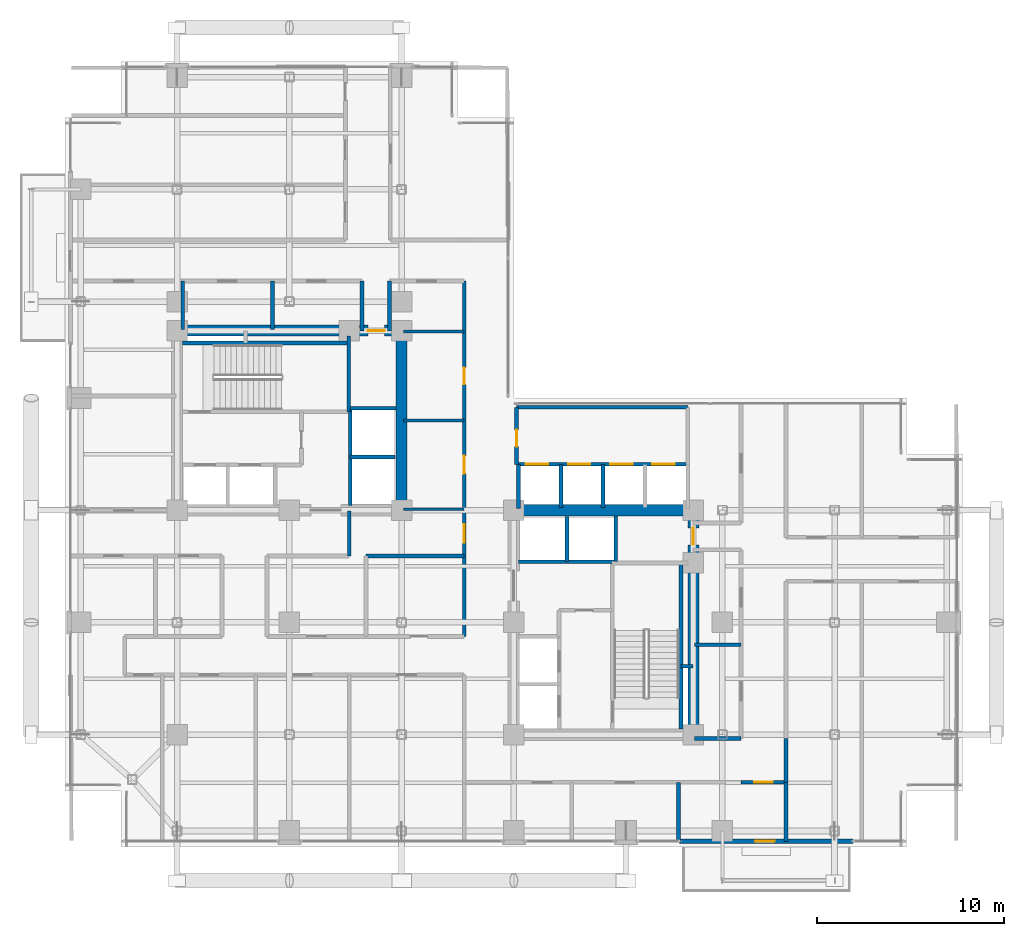
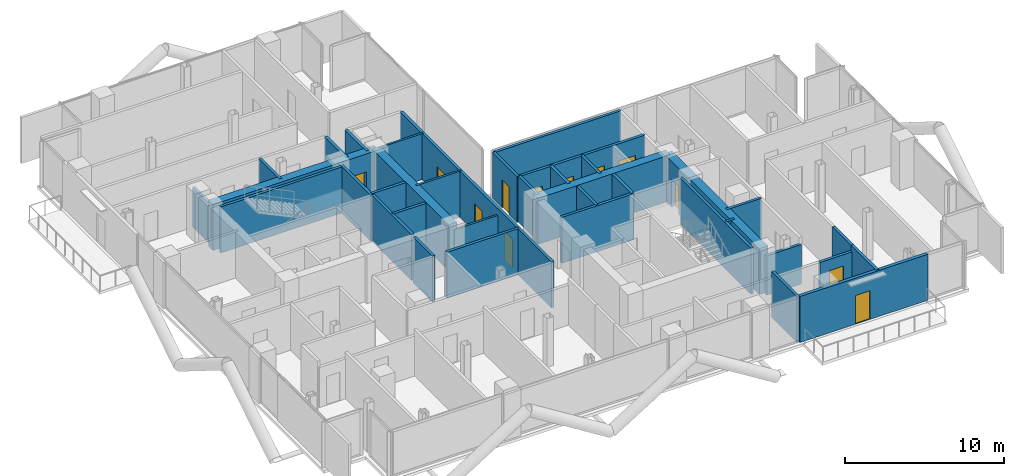
# One storey, part 23 of 28: 37 walls, 12 doors, 12 openings.
"""IFC4 building model written with IfcOpenShell, lengths in metres."""

from ifc_helpers import new_model, si_unit, direction, frame, frame_2d, origin, place, context, subcontext, project, spatial, rectangle, extrude, material, layer, layer_set, type_object, element, fill, save


model = new_model("IFC4")

# Units and contexts
model_context = context("Model", 3, precision=1e-05, world=origin(), true_north=direction((0.0, 1.0)))
body_context = subcontext(model_context, "Body", "Model", "MODEL_VIEW")
ifc_project = project(units=[si_unit("LENGTHUNIT", "METRE"), si_unit("AREAUNIT", "SQUARE_METRE"), si_unit("VOLUMEUNIT", "CUBIC_METRE"), si_unit("PLANEANGLEUNIT", "RADIAN"), si_unit("MASSUNIT", "GRAM", prefix="KILO"), si_unit("THERMODYNAMICTEMPERATUREUNIT", "KELVIN"), si_unit("POWERUNIT", "WATT")], contexts=[model_context])

# Site, building, storey
site_placement = place(None, origin())
site = spatial("IfcSite", under=ifc_project, at=site_placement, CompositionType="ELEMENT")
building_placement = place(site_placement, origin())
building = spatial("IfcBuilding", under=site, at=building_placement, Name="Svarakhadi Broadcast Tower", CompositionType="ELEMENT")
storey_placement = place(building_placement, frame((0.0, 0.0, 119.39990234375)))
storey = spatial("IfcBuildingStorey", under=building, at=storey_placement, Name="L28", CompositionType="ELEMENT", Elevation=119.39990234375)

# Walls
ifc_material_1 = material(Name="Double-Stud Acoustic Studio Partition STC-62", Category="gypsum")
ifc_layer_1 = layer(ifc_material_1, 0.199951171875)
ifc_layer_set_1 = layer_set([ifc_layer_1], Name="Double-Stud Acoustic Studio Partition STC-62")
wall_type_1 = type_object("IfcWallType", Name="Wall_Acoust_200", PredefinedType="PARTITIONING", material=ifc_layer_set_1)
wall_1_placement = place(storey_placement, frame((16.10009765625, 15.550048828125, 0.0), z_axis=(0.0, 0.0, 1.0), x_axis=(1.0, 0.0, 0.0)))
element("IfcWall", 1, at=wall_1_placement, inside=storey, type_object=wall_type_1, Name="L28 Accessible Floor Washroom WC Wall", PredefinedType="PARTITIONING", context=body_context, shape_type="SweptSolid", body=[
    extrude(rectangle(XDim=5.25, YDim=0.199951171875, at=frame_2d((2.625, 0.0))), origin(), (0.0, 0.0, 1.0), 3.525146484375),
])
for number, where, z_axis, x_axis, name in (
    (2, (32.800048828125, 0.300048828125, 0.0), (0.0, 0.0, 1.0), (0.0, 1.0, 0.0), "L28 Client Preview Briefing Room Wall"),
    (3, (38.550048828125, 0.300048828125, 0.0), (0.0, 0.0, 1.0), (0.0, 1.0, 0.0), "L28 Artisanal Espresso Bar Wall"),
):
    element("IfcWall", number, at=place(storey_placement, frame(where, z_axis=z_axis, x_axis=x_axis)), inside=storey, type_object=wall_type_1, Name=name, PredefinedType="PARTITIONING", context=body_context, shape_type="SweptSolid", body=[
        extrude(rectangle(XDim=3.14990234375, YDim=0.199951171875, at=frame_2d((1.574951171875, 0.0))), origin(), (0.0, 0.0, 1.0), 3.525146484375),
    ])
wall_2_placement = place(storey_placement, frame((6.300048828125, 27.64990234375, 0.0), z_axis=(0.0, 0.0, 1.0), x_axis=(0.0, 1.0, 0.0)))
element("IfcWall", 4, at=wall_2_placement, inside=storey, type_object=wall_type_1, Name="L28 Acoustic Dubbing Booth Wall", PredefinedType="PARTITIONING", context=body_context, shape_type="SweptSolid", body=[
    extrude(rectangle(XDim=2.60009765625, YDim=0.199951171875, at=frame_2d((1.300048828125, 0.0))), origin(), (0.0, 0.0, 1.0), 3.01708984375),
])
wall_3_placement = place(storey_placement, frame((11.10009765625, 27.64990234375, 0.0), z_axis=(0.0, 0.0, 1.0), x_axis=(0.0, 1.0, 0.0)))
element("IfcWall", 5, at=wall_3_placement, inside=storey, type_object=wall_type_1, Name="L28 Acoustic Dubbing Booth Wall", PredefinedType="PARTITIONING", context=body_context, shape_type="SweptSolid", body=[
    extrude(rectangle(XDim=2.60009765625, YDim=0.199951171875, at=frame_2d((1.300048828125, 0.0))), origin(), (0.0, 0.0, 1.0), 3.525146484375),
])
wall_4_placement = place(storey_placement, frame((33.64990234375, 5.800048828125, 0.0), z_axis=(0.0, 0.0, 1.0), x_axis=(1.0, 0.0, 0.0)))
element("IfcWall", 6, at=wall_4_placement, inside=storey, type_object=wall_type_1, Name="L28 Media Playout Monitoring Office Wall", PredefinedType="PARTITIONING", context=body_context, shape_type="SweptSolid", body=[
    extrude(rectangle(XDim=2.5, YDim=0.199951171875, at=frame_2d((1.25, 0.0))), origin(), (0.0, 0.0, 1.0), 3.01708984375),
])
wall_5_placement = place(storey_placement, frame((33.64990234375, 10.800048828125, 0.0), z_axis=(0.0, 0.0, 1.0), x_axis=(1.0, 0.0, 0.0)))
element("IfcWall", 7, at=wall_5_placement, inside=storey, type_object=wall_type_1, Name="L28 Media Playout Monitoring Office Wall", PredefinedType="PARTITIONING", context=body_context, shape_type="SweptSolid", body=[
    extrude(rectangle(XDim=2.5, YDim=0.199951171875, at=frame_2d((1.25, 0.0))), origin(), (0.0, 0.0, 1.0), 3.525146484375),
])

# Wall, opening, door
ifc_material_2 = material(Name="Concrete C40/50 (IS 456 M50)", Category="concrete")
ifc_layer_2 = layer(ifc_material_2, 0.239990234375)
ifc_layer_set_2 = layer_set([ifc_layer_2], Name="Concrete C40/50 (IS 456 M50)")
wall_type_2 = type_object("IfcWallType", Name="Wall_Ext_240", PredefinedType="SOLIDWALL", material=ifc_layer_set_2)
wall_6_placement = place(storey_placement, frame((42.14501953125, 0.300048828125, 0.0), z_axis=(0.0, 0.0, 1.0), x_axis=(-1.0, 0.0, 0.0)))
wall_6 = element("IfcWall", 8, at=wall_6_placement, inside=storey, type_object=wall_type_2, Name="L28 South Tree Balcony Spandrel Wall", PredefinedType="SOLIDWALL", context=body_context, shape_type="SweptSolid", body=[
    extrude(rectangle(XDim=9.2900390625, YDim=0.239990234375, at=frame_2d((4.64501953125, 0.0))), origin(), (0.0, 0.0, 1.0), 3.525146484375),
])
opening_1_placement = place(wall_6_placement, frame((4.199951171875, 0.0, 0.0)))
opening_1 = element("IfcOpeningElement", 9, at=opening_1_placement, cuts=wall_6, Name="Opening ED-06", PredefinedType="OPENING", context=body_context, shape_type="SweptSolid", body=[
    extrude(rectangle(XDim=1.050048828125, YDim=2.199951171875, at=frame_2d((0.52490234375, 1.10009765625))), frame((0.0, 0.1298828125, 0.0), z_axis=(0.0, -1.0, 0.0), x_axis=(1.0, 0.0, 0.0)), (0.0, 0.0, 1.0), 0.260009765625),
])
ifc_material_3 = material(Name="Anodised Bronze Aluminium AA 6063-T6", Category="aluminium")
door_type_1 = type_object("IfcDoorType", Name="Door_Ext_ED06", OperationType="SINGLE_SWING_RIGHT", PredefinedType="DOOR", material=ifc_material_3)
door_1_placement = place(opening_1_placement, origin())
door_1 = element("IfcDoor", 10, at=door_1_placement, inside=storey, type_object=door_type_1, Name="L28 South Tree Balcony Door", OperationType="SINGLE_SWING_RIGHT", OverallHeight=2.199951171875, OverallWidth=1.050048828125, PredefinedType="DOOR", context=body_context, shape_type="SweptSolid", body=[
    extrude(rectangle(XDim=1.050048828125, YDim=2.199951171875, at=frame_2d((0.52490234375, 1.10009765625))), frame((0.0, 0.02490234375, 0.0), z_axis=(0.0, -1.0, 0.0), x_axis=(1.0, 0.0, 0.0)), (0.0, 0.0, 1.0), 0.050048828125),
])
fill(opening_1, door_1)

# Walls
ifc_layer_3 = layer(ifc_material_2, 0.199951171875)
ifc_layer_set_3 = layer_set([ifc_layer_3], Name="Concrete C40/50 (IS 456 M50)")
wall_type_3 = type_object("IfcWallType", Name="Wall_Fire_200", PredefinedType="SOLIDWALL", material=ifc_layer_set_3)
wall_7_placement = place(storey_placement, frame((32.93994140625, 9.659912109375, 0.0), z_axis=(0.0, 0.0, 1.0), x_axis=(1.0, 0.0, 0.0)))
element("IfcWall", 11, at=wall_7_placement, inside=storey, type_object=wall_type_3, Name="L28 HV Busduct Riser Shaft North Wall", PredefinedType="SOLIDWALL", context=body_context, shape_type="SweptSolid", body=[
    extrude(rectangle(XDim=0.64013671875, YDim=0.199951171875, at=frame_2d((0.320068359375, 0.0))), origin(), (0.0, 0.0, 1.0), 3.525146484375),
])
wall_8_placement = place(storey_placement, frame((38.550048828125, 5.800048828125, 0.0), z_axis=(0.0, 0.0, 1.0), x_axis=(0.0, -1.0, 0.0)))
element("IfcWall", 12, at=wall_8_placement, inside=storey, type_object=wall_type_3, Name="L28 Zone 2/3 Corridor Wall", PredefinedType="SOLIDWALL", context=body_context, shape_type="SweptSolid", body=[
    extrude(rectangle(XDim=2.35009765625, YDim=0.199951171875, at=frame_2d((1.175048828125, 0.0))), origin(), (0.0, 0.0, 1.0), 3.525146484375),
])

# Wall, opening, door
wall_9_placement = place(storey_placement, frame((38.550048828125, 3.449951171875, 0.0), z_axis=(0.0, 0.0, 1.0), x_axis=(-1.0, 0.0, 0.0)))
wall_9 = element("IfcWall", 13, at=wall_9_placement, inside=storey, type_object=wall_type_3, Name="L28 Zone 2/3 Corridor Wall", PredefinedType="SOLIDWALL", context=body_context, shape_type="SweptSolid", body=[
    extrude(rectangle(XDim=2.400146484375, YDim=0.199951171875, at=frame_2d((1.2001953125, 0.0))), origin(), (0.0, 0.0, 1.0), 3.067138671875),
])
opening_2_placement = place(wall_9_placement, frame((0.699951171875, 0.0, 0.0)))
opening_2 = element("IfcOpeningElement", 14, at=opening_2_placement, cuts=wall_9, Name="Opening D-08", PredefinedType="OPENING", context=body_context, shape_type="SweptSolid", body=[
    extrude(rectangle(XDim=1.0, YDim=2.199951171875, at=frame_2d((0.5, 1.10009765625))), frame((0.0, 0.10986328125, 0.0), z_axis=(0.0, -1.0, 0.0), x_axis=(1.0, 0.0, 0.0)), (0.0, 0.0, 1.0), 0.219970703125),
])
ifc_material_4 = material(Name="Solid-Core Teak Veneer Acoustic Timber Leaf", Category="wood")
door_type_2 = type_object("IfcDoorType", Name="Door_Suite_D08", OperationType="SINGLE_SWING_LEFT", PredefinedType="DOOR", material=ifc_material_4)
door_2_placement = place(opening_2_placement, origin())
door_2 = element("IfcDoor", 15, at=door_2_placement, inside=storey, type_object=door_type_2, Name="L28 Artisanal Espresso Bar Door", OperationType="SINGLE_SWING_LEFT", OverallHeight=2.199951171875, OverallWidth=1.0, PredefinedType="DOOR", context=body_context, shape_type="SweptSolid", body=[
    extrude(rectangle(XDim=1.0, YDim=2.199951171875, at=frame_2d((0.5, 1.10009765625))), frame((0.0, 0.02490234375, 0.0), z_axis=(0.0, -1.0, 0.0), x_axis=(1.0, 0.0, 0.0)), (0.0, 0.0, 1.0), 0.050048828125),
])
fill(opening_2, door_2)

# Wall
wall_10_placement = place(storey_placement, frame((15.199951171875, 17.949951171875, 0.0), z_axis=(0.0, 0.0, 1.0), x_axis=(0.0, -1.0, 0.0)))
element("IfcWall", 16, at=wall_10_placement, inside=storey, type_object=wall_type_3, Name="L28 Zone 2/3 Corridor Wall", PredefinedType="SOLIDWALL", context=body_context, shape_type="SweptSolid", body=[
    extrude(rectangle(XDim=2.39990234375, YDim=0.199951171875, at=frame_2d((1.199951171875, 0.0))), origin(), (0.0, 0.0, 1.0), 3.525146484375),
])

# Wall, openings, doors
wall_11_placement = place(storey_placement, frame((21.35009765625, 11.25, 0.0), z_axis=(0.0, 0.0, 1.0), x_axis=(0.0, 1.0, 0.0)))
wall_11 = element("IfcWall", 17, at=wall_11_placement, inside=storey, type_object=wall_type_3, Name="L28 Zone 2/3 Corridor Wall", PredefinedType="SOLIDWALL", context=body_context, shape_type="SweptSolid", body=[
    extrude(rectangle(XDim=19.0, YDim=0.199951171875, at=frame_2d((9.5, 0.0))), origin(), (0.0, 0.0, 1.0), 3.525146484375),
])
opening_3_placement = place(wall_11_placement, frame((8.699951171875, 0.0, 0.0)))
opening_3 = element("IfcOpeningElement", 18, at=opening_3_placement, cuts=wall_11, Name="Opening D-07", PredefinedType="OPENING", context=body_context, shape_type="SweptSolid", body=[
    extrude(rectangle(XDim=0.949951171875, YDim=2.14990234375, at=frame_2d((0.47509765625, 1.074951171875))), frame((0.0, 0.10986328125, 0.0), z_axis=(0.0, -1.0, 0.0), x_axis=(1.0, 0.0, 0.0)), (0.0, 0.0, 1.0), 0.219970703125),
])
opening_4_placement = place(wall_11_placement, frame((13.47509765625, 0.0, 0.0)))
opening_4 = element("IfcOpeningElement", 19, at=opening_4_placement, cuts=wall_11, Name="Opening D-12", PredefinedType="OPENING", context=body_context, shape_type="SweptSolid", body=[
    extrude(rectangle(XDim=0.89990234375, YDim=2.10009765625, at=frame_2d((0.449951171875, 1.050048828125))), frame((0.0, 0.10986328125, 0.0), z_axis=(0.0, -1.0, 0.0), x_axis=(1.0, 0.0, 0.0)), (0.0, 0.0, 1.0), 0.219970703125),
])
opening_5_placement = place(wall_11_placement, frame((5.0, 0.0, 0.0)))
opening_5 = element("IfcOpeningElement", 20, at=opening_5_placement, cuts=wall_11, Name="Opening D-09", PredefinedType="OPENING", context=body_context, shape_type="SweptSolid", body=[
    extrude(rectangle(XDim=1.0, YDim=2.199951171875, at=frame_2d((0.5, 1.10009765625))), frame((0.0, 0.10986328125, 0.0), z_axis=(0.0, -1.0, 0.0), x_axis=(1.0, 0.0, 0.0)), (0.0, 0.0, 1.0), 0.219970703125),
])
door_type_3 = type_object("IfcDoorType", Name="Door_Office_D07", OperationType="SINGLE_SWING_RIGHT", PredefinedType="DOOR", material=ifc_material_4)
door_3_placement = place(opening_3_placement, origin())
door_3 = element("IfcDoor", 21, at=door_3_placement, inside=storey, type_object=door_type_3, Name="L28 Broadcast Editorial Review Office Door", OperationType="SINGLE_SWING_RIGHT", OverallHeight=2.14990234375, OverallWidth=0.949951171875, PredefinedType="DOOR", context=body_context, shape_type="SweptSolid", body=[
    extrude(rectangle(XDim=0.949951171875, YDim=2.14990234375, at=frame_2d((0.47509765625, 1.074951171875))), frame((0.0, 0.02490234375, 0.0), z_axis=(0.0, -1.0, 0.0), x_axis=(1.0, 0.0, 0.0)), (0.0, 0.0, 1.0), 0.050048828125),
])
fill(opening_3, door_3)
door_type_4 = type_object("IfcDoorType", Name="Door_Suite_D09", OperationType="SINGLE_SWING_RIGHT", PredefinedType="DOOR", material=ifc_material_4)
door_4_placement = place(opening_5_placement, origin())
door_4 = element("IfcDoor", 22, at=door_4_placement, inside=storey, type_object=door_type_4, Name="L28 Executive Review Pod Door", OperationType="SINGLE_SWING_RIGHT", OverallHeight=2.199951171875, OverallWidth=1.0, PredefinedType="DOOR", context=body_context, shape_type="SweptSolid", body=[
    extrude(rectangle(XDim=1.0, YDim=2.199951171875, at=frame_2d((0.5, 1.10009765625))), frame((0.0, 0.02490234375, 0.0), z_axis=(0.0, -1.0, 0.0), x_axis=(1.0, 0.0, 0.0)), (0.0, 0.0, 1.0), 0.050048828125),
])
fill(opening_5, door_4)
door_type_5 = type_object("IfcDoorType", Name="Door_WC_D01", OperationType="SINGLE_SWING_LEFT", PredefinedType="DOOR", material=ifc_material_4)
door_5_placement = place(opening_4_placement, origin())
door_5 = element("IfcDoor", 23, at=door_5_placement, inside=storey, type_object=door_type_5, Name="L28 Accessible Guest Washroom WC Door", OperationType="SINGLE_SWING_LEFT", OverallHeight=2.10009765625, OverallWidth=0.89990234375, PredefinedType="DOOR", context=body_context, shape_type="SweptSolid", body=[
    extrude(rectangle(XDim=0.89990234375, YDim=2.10009765625, at=frame_2d((0.449951171875, 1.050048828125))), frame((0.0, 0.02490234375, 0.0), z_axis=(0.0, -1.0, 0.0), x_axis=(1.0, 0.0, 0.0)), (0.0, 0.0, 1.0), 0.050048828125),
])
fill(opening_4, door_5)

# Walls
for number, where, z_axis, x_axis, name in (
    (24, (17.35009765625, 30.25, 0.0), (0.0, 0.0, 1.0), (0.0, -1.0, 0.0), "L28 Zone 2/3 Corridor Wall"),
    (25, (15.8798828125, 27.580078125, 0.0), (0.0, 0.0, 1.0), (0.0, 1.0, 0.0), "L28 Zone 2/3 Corridor Wall"),
):
    element("IfcWall", number, at=place(storey_placement, frame(where, z_axis=z_axis, x_axis=x_axis)), inside=storey, type_object=wall_type_3, Name=name, PredefinedType="SOLIDWALL", context=body_context, shape_type="SweptSolid", body=[
        extrude(rectangle(XDim=2.669921875, YDim=0.199951171875, at=frame_2d((1.3349609375, 0.0))), origin(), (0.0, 0.0, 1.0), 3.525146484375),
    ])
ifc_material_5 = material(Name="Autoclaved Aerated Concrete Blockwork 150 mm", Category="masonry")
ifc_layer_4 = layer(ifc_material_5, 0.14990234375)
ifc_layer_set_4 = layer_set([ifc_layer_4], Name="Autoclaved Aerated Concrete Blockwork 150 mm")
wall_type_4 = type_object("IfcWallType", Name="Wall_Part_150", PredefinedType="PARTITIONING", material=ifc_layer_set_4)
wall_12_placement = place(storey_placement, frame((18.10009765625, 18.050048828125, 0.0), z_axis=(0.0, 0.0, 1.0), x_axis=(1.0, 0.0, 0.0)))
element("IfcWall", 26, at=wall_12_placement, inside=storey, type_object=wall_type_4, Name="L28 Broadcast Editorial Review Office Wall", PredefinedType="PARTITIONING", context=body_context, shape_type="SweptSolid", body=[
    extrude(rectangle(XDim=3.25, YDim=0.14990234375, at=frame_2d((1.625, 0.0))), origin(), (0.0, 0.0, 1.0), 3.01708984375),
])
for number, where, z_axis, x_axis, name in (
    (27, (18.10009765625, 22.800048828125, 0.0), (0.0, 0.0, 1.0), (1.0, 0.0, 0.0), "L28 Broadcast Editorial Review Office Wall"),
    (28, (18.10009765625, 27.550048828125, 0.0), (0.0, 0.0, 1.0), (1.0, 0.0, 0.0), "L28 Accessible Guest Washroom WC Wall"),
):
    element("IfcWall", number, at=place(storey_placement, frame(where, z_axis=z_axis, x_axis=x_axis)), inside=storey, type_object=wall_type_4, Name=name, PredefinedType="PARTITIONING", context=body_context, shape_type="SweptSolid", body=[
        extrude(rectangle(XDim=3.25, YDim=0.14990234375, at=frame_2d((1.625, 0.0))), origin(), (0.0, 0.0, 1.0), 3.525146484375),
    ])
ifc_material_6 = material(Name="Concrete C50/60 (IS 456 M60)", Category="concrete")
ifc_layer_5 = layer(ifc_material_6, 0.199951171875)
ifc_layer_set_5 = layer_set([ifc_layer_5], Name="Concrete C50/60 (IS 456 M60)")
wall_type_5 = type_object("IfcWallType", Name="Wall_Shear_200", PredefinedType="SHEAR", material=ifc_layer_set_5)
wall_13_placement = place(storey_placement, frame((6.300048828125, 26.93994140625, 0.0), z_axis=(0.0, 0.0, 1.0), x_axis=(1.0, 0.0, 0.0)))
element("IfcWall", 29, at=wall_13_placement, inside=storey, type_object=wall_type_5, Name="L28 Stair ST-01 North RC Shaft Wall", PredefinedType="SHEAR", context=body_context, shape_type="SweptSolid", body=[
    extrude(rectangle(XDim=8.8798828125, YDim=0.199951171875, at=frame_2d((4.43994140625, 0.0))), origin(), (0.0, 0.0, 1.0), 3.525146484375),
])
wall_14_placement = place(storey_placement, frame((15.179931640625, 23.260009765625, 0.0), z_axis=(0.0, 0.0, 1.0), x_axis=(0.0, 1.0, 0.0)))
element("IfcWall", 30, at=wall_14_placement, inside=storey, type_object=wall_type_5, Name="L28 Stair ST-01 East RC Shaft Wall", PredefinedType="SHEAR", context=body_context, shape_type="SweptSolid", body=[
    extrude(rectangle(XDim=4.0400390625, YDim=0.199951171875, at=frame_2d((2.02001953125, 0.0))), origin(), (0.0, 0.0, 1.0), 3.525146484375),
])
wall_15_placement = place(storey_placement, frame((32.93994140625, 6.300048828125, 0.0), z_axis=(0.0, 0.0, 1.0), x_axis=(0.0, 1.0, 0.0)))
element("IfcWall", 31, at=wall_15_placement, inside=storey, type_object=wall_type_5, Name="L28 Stair ST-02 East RC Shaft Wall", PredefinedType="SHEAR", context=body_context, shape_type="SweptSolid", body=[
    extrude(rectangle(XDim=8.8798828125, YDim=0.199951171875, at=frame_2d((4.43994140625, 0.0))), origin(), (0.0, 0.0, 1.0), 3.525146484375),
])
wall_16_placement = place(storey_placement, frame((15.25, 18.25, 0.0), z_axis=(0.0, 0.0, 1.0), x_axis=(0.0, 1.0, 0.0)))
element("IfcWall", 32, at=wall_16_placement, inside=storey, type_object=wall_type_5, Name="L28 High-Rise Lift LF-13/14 West Shaft Wall", PredefinedType="SHEAR", context=body_context, shape_type="SweptSolid", body=[
    extrude(rectangle(XDim=5.199951171875, YDim=0.199951171875, at=frame_2d((2.60009765625, 0.0))), origin(), (0.0, 0.0, 1.0), 3.525146484375),
])
wall_17_placement = place(storey_placement, frame((15.25, 20.85009765625, 0.0), z_axis=(0.0, 0.0, 1.0), x_axis=(1.0, 0.0, 0.0)))
element("IfcWall", 33, at=wall_17_placement, inside=storey, type_object=wall_type_5, Name="L28 High-Rise Lift LF-13/14 Divider", PredefinedType="SHEAR", context=body_context, shape_type="SweptSolid", body=[
    extrude(rectangle(XDim=2.39990234375, YDim=0.199951171875, at=frame_2d((1.199951171875, 0.0))), origin(), (0.0, 0.0, 1.0), 3.525146484375),
])
wall_18_placement = place(storey_placement, frame((15.25, 23.449951171875, 0.0), z_axis=(0.0, 0.0, 1.0), x_axis=(1.0, 0.0, 0.0)))
element("IfcWall", 34, at=wall_18_placement, inside=storey, type_object=wall_type_5, Name="L28 High-Rise Lift LF-13/14 North Wall", PredefinedType="SHEAR", context=body_context, shape_type="SweptSolid", body=[
    extrude(rectangle(XDim=2.449951171875, YDim=0.199951171875, at=frame_2d((1.22509765625, 0.0))), origin(), (0.0, 0.0, 1.0), 3.525146484375),
])
wall_19_placement = place(storey_placement, frame((24.25, 15.25, 0.0), z_axis=(0.0, 0.0, 1.0), x_axis=(1.0, 0.0, 0.0)))
element("IfcWall", 35, at=wall_19_placement, inside=storey, type_object=wall_type_5, Name="L28 High-Rise Lift LF-15/16 South Shaft Wall", PredefinedType="SHEAR", context=body_context, shape_type="SweptSolid", body=[
    extrude(rectangle(XDim=5.199951171875, YDim=0.199951171875, at=frame_2d((2.60009765625, 0.0))), origin(), (0.0, 0.0, 1.0), 3.525146484375),
])
wall_20_placement = place(storey_placement, frame((26.85009765625, 15.25, 0.0), z_axis=(0.0, 0.0, 1.0), x_axis=(0.0, 1.0, 0.0)))
element("IfcWall", 36, at=wall_20_placement, inside=storey, type_object=wall_type_5, Name="L28 High-Rise Lift LF-15/16 Divider", PredefinedType="SHEAR", context=body_context, shape_type="SweptSolid", body=[
    extrude(rectangle(XDim=2.39990234375, YDim=0.199951171875, at=frame_2d((1.199951171875, 0.0))), origin(), (0.0, 0.0, 1.0), 3.525146484375),
])
wall_21_placement = place(storey_placement, frame((29.449951171875, 15.25, 0.0), z_axis=(0.0, 0.0, 1.0), x_axis=(0.0, 1.0, 0.0)))
element("IfcWall", 37, at=wall_21_placement, inside=storey, type_object=wall_type_5, Name="L28 High-Rise Lift LF-15/16 East Wall", PredefinedType="SHEAR", context=body_context, shape_type="SweptSolid", body=[
    extrude(rectangle(XDim=2.449951171875, YDim=0.199951171875, at=frame_2d((1.22509765625, 0.0))), origin(), (0.0, 0.0, 1.0), 3.525146484375),
])
wall_22_placement = place(storey_placement, frame((24.25, 18.10009765625, 0.0), z_axis=(0.0, 0.0, 1.0), x_axis=(0.0, 1.0, 0.0)))
element("IfcWall", 38, at=wall_22_placement, inside=storey, type_object=wall_type_5, Name="L28 Bank B West Shaft Wall", PredefinedType="SHEAR", context=body_context, shape_type="SweptSolid", body=[
    extrude(rectangle(XDim=2.349853515625, YDim=0.199951171875, at=frame_2d((1.1748046875, 0.0))), origin(), (0.0, 0.0, 1.0), 3.525146484375),
])

# Wall, openings, doors
wall_23_placement = place(storey_placement, frame((24.25, 20.449951171875, 0.0), z_axis=(0.0, 0.0, 1.0), x_axis=(1.0, 0.0, 0.0)))
wall_23 = element("IfcWall", 39, at=wall_23_placement, inside=storey, type_object=wall_type_5, Name="L28 Bank B North Landing Wall", PredefinedType="SHEAR", context=body_context, shape_type="SweptSolid", body=[
    extrude(rectangle(XDim=9.050048828125, YDim=0.199951171875, at=frame_2d((4.52490234375, 0.0))), origin(), (0.0, 0.0, 1.0), 3.525146484375),
])
opening_6_placement = place(wall_23_placement, frame((0.39990234375, 0.0, 0.0)))
opening_6 = element("IfcOpeningElement", 40, at=opening_6_placement, cuts=wall_23, Name="Opening LD-02", PredefinedType="OPENING", context=body_context, shape_type="SweptSolid", body=[
    extrude(rectangle(XDim=1.199951171875, YDim=2.199951171875, at=frame_2d((0.60009765625, 1.10009765625))), frame((0.0, 0.10986328125, 0.0), z_axis=(0.0, -1.0, 0.0), x_axis=(1.0, 0.0, 0.0)), (0.0, 0.0, 1.0), 0.219970703125),
])
opening_7_placement = place(wall_23_placement, frame((2.64990234375, 0.0, 0.0)))
opening_7 = element("IfcOpeningElement", 41, at=opening_7_placement, cuts=wall_23, Name="Opening LD-02", PredefinedType="OPENING", context=body_context, shape_type="SweptSolid", body=[
    extrude(rectangle(XDim=1.199951171875, YDim=2.199951171875, at=frame_2d((0.60009765625, 1.10009765625))), frame((0.0, 0.10986328125, 0.0), z_axis=(0.0, -1.0, 0.0), x_axis=(1.0, 0.0, 0.0)), (0.0, 0.0, 1.0), 0.219970703125),
])
opening_8_placement = place(wall_23_placement, frame((4.89990234375, 0.0, 0.0)))
opening_8 = element("IfcOpeningElement", 42, at=opening_8_placement, cuts=wall_23, Name="Opening LD-02", PredefinedType="OPENING", context=body_context, shape_type="SweptSolid", body=[
    extrude(rectangle(XDim=1.199951171875, YDim=2.199951171875, at=frame_2d((0.60009765625, 1.10009765625))), frame((0.0, 0.10986328125, 0.0), z_axis=(0.0, -1.0, 0.0), x_axis=(1.0, 0.0, 0.0)), (0.0, 0.0, 1.0), 0.219970703125),
])
opening_9_placement = place(wall_23_placement, frame((7.14990234375, 0.0, 0.0)))
opening_9 = element("IfcOpeningElement", 43, at=opening_9_placement, cuts=wall_23, Name="Opening LD-02", PredefinedType="OPENING", context=body_context, shape_type="SweptSolid", body=[
    extrude(rectangle(XDim=1.199951171875, YDim=2.199951171875, at=frame_2d((0.60009765625, 1.10009765625))), frame((0.0, 0.10986328125, 0.0), z_axis=(0.0, -1.0, 0.0), x_axis=(1.0, 0.0, 0.0)), (0.0, 0.0, 1.0), 0.219970703125),
])
ifc_material_7 = material(Name="Galvanised Powder-Coated Fire-Rated Steel Leaf", Category="steel")
door_type_6 = type_object("IfcDoorType", Name="Door_Lift_LD02", OperationType="SLIDING_TO_RIGHT", PredefinedType="DOOR", material=ifc_material_7)
door_6_placement = place(opening_6_placement, origin())
door_6 = element("IfcDoor", 44, at=door_6_placement, inside=storey, type_object=door_type_6, Name="L28 Mid-Rise Lift LF-09 Landing Door", OperationType="SLIDING_TO_RIGHT", OverallHeight=2.199951171875, OverallWidth=1.199951171875, PredefinedType="DOOR", context=body_context, shape_type="SweptSolid", body=[
    extrude(rectangle(XDim=1.199951171875, YDim=2.199951171875, at=frame_2d((0.60009765625, 1.10009765625))), frame((0.0, 0.02490234375, 0.0), z_axis=(0.0, -1.0, 0.0), x_axis=(1.0, 0.0, 0.0)), (0.0, 0.0, 1.0), 0.050048828125),
])
fill(opening_6, door_6)
door_7_placement = place(opening_7_placement, origin())
door_7 = element("IfcDoor", 45, at=door_7_placement, inside=storey, type_object=door_type_6, Name="L28 Mid-Rise Lift LF-10 Landing Door", OperationType="SLIDING_TO_RIGHT", OverallHeight=2.199951171875, OverallWidth=1.199951171875, PredefinedType="DOOR", context=body_context, shape_type="SweptSolid", body=[
    extrude(rectangle(XDim=1.199951171875, YDim=2.199951171875, at=frame_2d((0.60009765625, 1.10009765625))), frame((0.0, 0.02490234375, 0.0), z_axis=(0.0, -1.0, 0.0), x_axis=(1.0, 0.0, 0.0)), (0.0, 0.0, 1.0), 0.050048828125),
])
fill(opening_7, door_7)
door_8_placement = place(opening_8_placement, origin())
door_8 = element("IfcDoor", 46, at=door_8_placement, inside=storey, type_object=door_type_6, Name="L28 Mid-Rise Lift LF-11 Landing Door", OperationType="SLIDING_TO_RIGHT", OverallHeight=2.199951171875, OverallWidth=1.199951171875, PredefinedType="DOOR", context=body_context, shape_type="SweptSolid", body=[
    extrude(rectangle(XDim=1.199951171875, YDim=2.199951171875, at=frame_2d((0.60009765625, 1.10009765625))), frame((0.0, 0.02490234375, 0.0), z_axis=(0.0, -1.0, 0.0), x_axis=(1.0, 0.0, 0.0)), (0.0, 0.0, 1.0), 0.050048828125),
])
fill(opening_8, door_8)
door_9_placement = place(opening_9_placement, origin())
door_9 = element("IfcDoor", 47, at=door_9_placement, inside=storey, type_object=door_type_6, Name="L28 Mid-Rise Lift LF-12 Landing Door", OperationType="SLIDING_TO_RIGHT", OverallHeight=2.199951171875, OverallWidth=1.199951171875, PredefinedType="DOOR", context=body_context, shape_type="SweptSolid", body=[
    extrude(rectangle(XDim=1.199951171875, YDim=2.199951171875, at=frame_2d((0.60009765625, 1.10009765625))), frame((0.0, 0.02490234375, 0.0), z_axis=(0.0, -1.0, 0.0), x_axis=(1.0, 0.0, 0.0)), (0.0, 0.0, 1.0), 0.050048828125),
])
fill(opening_9, door_9)

# Walls
for number, where, z_axis, x_axis, name in (
    (48, (26.52001953125, 18.14990234375, 0.0), (0.0, 0.0, 1.0), (0.0, 1.0, 0.0), "L28 Bank B Divider"),
    (49, (28.77001953125, 18.14990234375, 0.0), (0.0, 0.0, 1.0), (0.0, 1.0, 0.0), "L28 Bank B Divider"),
):
    element("IfcWall", number, at=place(storey_placement, frame(where, z_axis=z_axis, x_axis=x_axis)), inside=storey, type_object=wall_type_5, Name=name, PredefinedType="SHEAR", context=body_context, shape_type="SweptSolid", body=[
        extrude(rectangle(XDim=2.300048828125, YDim=0.199951171875, at=frame_2d((1.14990234375, 0.0))), origin(), (0.0, 0.0, 1.0), 3.525146484375),
    ])
wall_24_placement = place(storey_placement, frame((24.14990234375, 23.5, 0.0), z_axis=(0.0, 0.0, 1.0), x_axis=(1.0, 0.0, 0.0)))
element("IfcWall", 50, at=wall_24_placement, inside=storey, type_object=wall_type_5, Name="L28 Bank B Lift Hall North Wall", PredefinedType="SHEAR", context=body_context, shape_type="SweptSolid", body=[
    extrude(rectangle(XDim=9.150146484375, YDim=0.199951171875, at=frame_2d((4.5751953125, 0.0))), origin(), (0.0, 0.0, 1.0), 3.525146484375),
])

# Wall, opening, door
wall_25_placement = place(storey_placement, frame((24.14990234375, 20.449951171875, 0.0), z_axis=(0.0, 0.0, 1.0), x_axis=(0.0, 1.0, 0.0)))
wall_25 = element("IfcWall", 51, at=wall_25_placement, inside=storey, type_object=wall_type_5, Name="L28 Bank B Lift Hall West Wall", PredefinedType="SHEAR", context=body_context, shape_type="SweptSolid", body=[
    extrude(rectangle(XDim=3.050048828125, YDim=0.199951171875, at=frame_2d((1.52490234375, 0.0))), origin(), (0.0, 0.0, 1.0), 3.525146484375),
])
opening_10_placement = place(wall_25_placement, frame((0.949951171875, 0.0, 0.0)))
opening_10 = element("IfcOpeningElement", 52, at=opening_10_placement, cuts=wall_25, Name="Opening D-03", PredefinedType="OPENING", context=body_context, shape_type="SweptSolid", body=[
    extrude(rectangle(XDim=0.89990234375, YDim=2.14990234375, at=frame_2d((0.449951171875, 1.074951171875))), frame((0.0, 0.10986328125, 0.0), z_axis=(0.0, -1.0, 0.0), x_axis=(1.0, 0.0, 0.0)), (0.0, 0.0, 1.0), 0.219970703125),
])
door_type_7 = type_object("IfcDoorType", Name="Door_Fire_D03", OperationType="SINGLE_SWING_LEFT", PredefinedType="DOOR", material=ifc_material_7)
door_10_placement = place(opening_10_placement, origin())
door_10 = element("IfcDoor", 53, at=door_10_placement, inside=storey, type_object=door_type_7, Name="L28 Mid-Rise Lift Hall West Corridor Door", OperationType="SINGLE_SWING_LEFT", OverallHeight=2.14990234375, OverallWidth=0.89990234375, PredefinedType="DOOR", context=body_context, shape_type="SweptSolid", body=[
    extrude(rectangle(XDim=0.89990234375, YDim=2.14990234375, at=frame_2d((0.449951171875, 1.074951171875))), frame((0.0, 0.02490234375, 0.0), z_axis=(0.0, -1.0, 0.0), x_axis=(1.0, 0.0, 0.0)), (0.0, 0.0, 1.0), 0.050048828125),
])
fill(opening_10, door_10)

ifc_material_8 = material(Name="Concrete C60/75 (IS 456 M70)", Category="concrete")
ifc_layer_6 = layer(ifc_material_8, 0.60009765625)
ifc_layer_set_6 = layer_set([ifc_layer_6], Name="Concrete C60/75 (IS 456 M70)")
wall_type_6 = type_object("IfcWallType", Name="Wall_Shear_600", PredefinedType="SHEAR", material=ifc_layer_set_6)
wall_26_placement = place(storey_placement, frame((6.0, 27.60009765625, 0.0), z_axis=(0.0, 0.0, 1.0), x_axis=(1.0, 0.0, 0.0)))
wall_26 = element("IfcWall", 54, at=wall_26_placement, inside=storey, type_object=wall_type_6, Name="L28 West Core North Shear Wall", PredefinedType="SHEAR", context=body_context, shape_type="SweptSolid", body=[
    extrude(rectangle(XDim=12.0, YDim=0.60009765625, at=frame_2d((6.0, 0.0))), origin(), (0.0, 0.0, 1.0), 3.525146484375),
])
opening_11_placement = place(wall_26_placement, frame((10.199951171875, 0.0, 0.0)))
opening_11 = element("IfcOpeningElement", 55, at=opening_11_placement, cuts=wall_26, Name="Opening D-04", PredefinedType="OPENING", context=body_context, shape_type="SweptSolid", body=[
    extrude(rectangle(XDim=0.89990234375, YDim=2.14990234375, at=frame_2d((0.449951171875, 1.074951171875))), frame((0.0, 0.31005859375, 0.0), z_axis=(0.0, -1.0, 0.0), x_axis=(1.0, 0.0, 0.0)), (0.0, 0.0, 1.0), 0.6201171875),
])
door_type_8 = type_object("IfcDoorType", Name="Door_Fire_D04", OperationType="SINGLE_SWING_RIGHT", PredefinedType="DOOR", material=ifc_material_7)
door_11_placement = place(opening_11_placement, origin())
door_11 = element("IfcDoor", 56, at=door_11_placement, inside=storey, type_object=door_type_8, Name="L28 Core Service Room West Door", OperationType="SINGLE_SWING_RIGHT", OverallHeight=2.14990234375, OverallWidth=0.89990234375, PredefinedType="DOOR", context=body_context, shape_type="SweptSolid", body=[
    extrude(rectangle(XDim=0.89990234375, YDim=2.14990234375, at=frame_2d((0.449951171875, 1.074951171875))), frame((0.0, 0.02490234375, 0.0), z_axis=(0.0, -1.0, 0.0), x_axis=(1.0, 0.0, 0.0)), (0.0, 0.0, 1.0), 0.050048828125),
])
fill(opening_11, door_11)

# Walls
for number, where, z_axis, x_axis, name in (
    (57, (18.0, 18.0, 0.0), (0.0, 0.0, 1.0), (0.0, 1.0, 0.0), "L28 West Core East Shear Wall"),
    (58, (24.0, 18.0, 0.0), (0.0, 0.0, 1.0), (1.0, 0.0, 0.0), "L28 East Core North Shear Wall"),
):
    element("IfcWall", number, at=place(storey_placement, frame(where, z_axis=z_axis, x_axis=x_axis)), inside=storey, type_object=wall_type_6, Name=name, PredefinedType="SHEAR", context=body_context, shape_type="SweptSolid", body=[
        extrude(rectangle(XDim=9.60009765625, YDim=0.60009765625, at=frame_2d((4.800048828125, 0.0))), origin(), (0.0, 0.0, 1.0), 3.525146484375),
    ])

# Wall, opening, door
wall_27_placement = place(storey_placement, frame((33.60009765625, 6.0, 0.0), z_axis=(0.0, 0.0, 1.0), x_axis=(0.0, 1.0, 0.0)))
wall_27 = element("IfcWall", 59, at=wall_27_placement, inside=storey, type_object=wall_type_6, Name="L28 East Core East Shear Wall", PredefinedType="SHEAR", context=body_context, shape_type="SweptSolid", body=[
    extrude(rectangle(XDim=12.0, YDim=0.60009765625, at=frame_2d((6.0, 0.0))), origin(), (0.0, 0.0, 1.0), 3.525146484375),
])
opening_12_placement = place(wall_27_placement, frame((10.14990234375, 0.0, 0.0)))
opening_12 = element("IfcOpeningElement", 60, at=opening_12_placement, cuts=wall_27, Name="Opening D-04", PredefinedType="OPENING", context=body_context, shape_type="SweptSolid", body=[
    extrude(rectangle(XDim=0.89990234375, YDim=2.14990234375, at=frame_2d((0.449951171875, 1.074951171875))), frame((0.0, 0.31005859375, 0.0), z_axis=(0.0, -1.0, 0.0), x_axis=(1.0, 0.0, 0.0)), (0.0, 0.0, 1.0), 0.6201171875),
])
door_12_placement = place(opening_12_placement, origin())
door_12 = element("IfcDoor", 61, at=door_12_placement, inside=storey, type_object=door_type_8, Name="L28 Core Service Room East Door", OperationType="SINGLE_SWING_RIGHT", OverallHeight=2.14990234375, OverallWidth=0.89990234375, PredefinedType="DOOR", context=body_context, shape_type="SweptSolid", body=[
    extrude(rectangle(XDim=0.89990234375, YDim=2.14990234375, at=frame_2d((0.449951171875, 1.074951171875))), frame((0.0, 0.02490234375, 0.0), z_axis=(0.0, -1.0, 0.0), x_axis=(1.0, 0.0, 0.0)), (0.0, 0.0, 1.0), 0.050048828125),
])
fill(opening_12, door_12)

save(model, "model.ifc")
